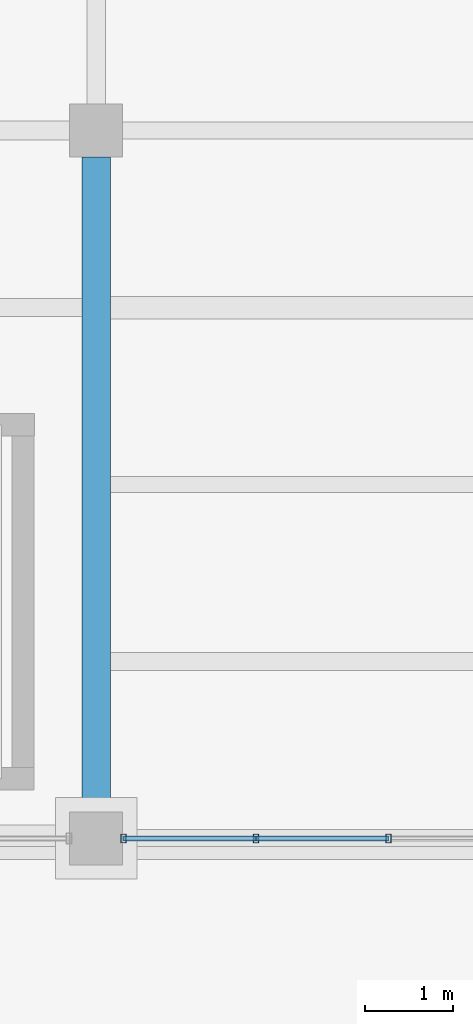
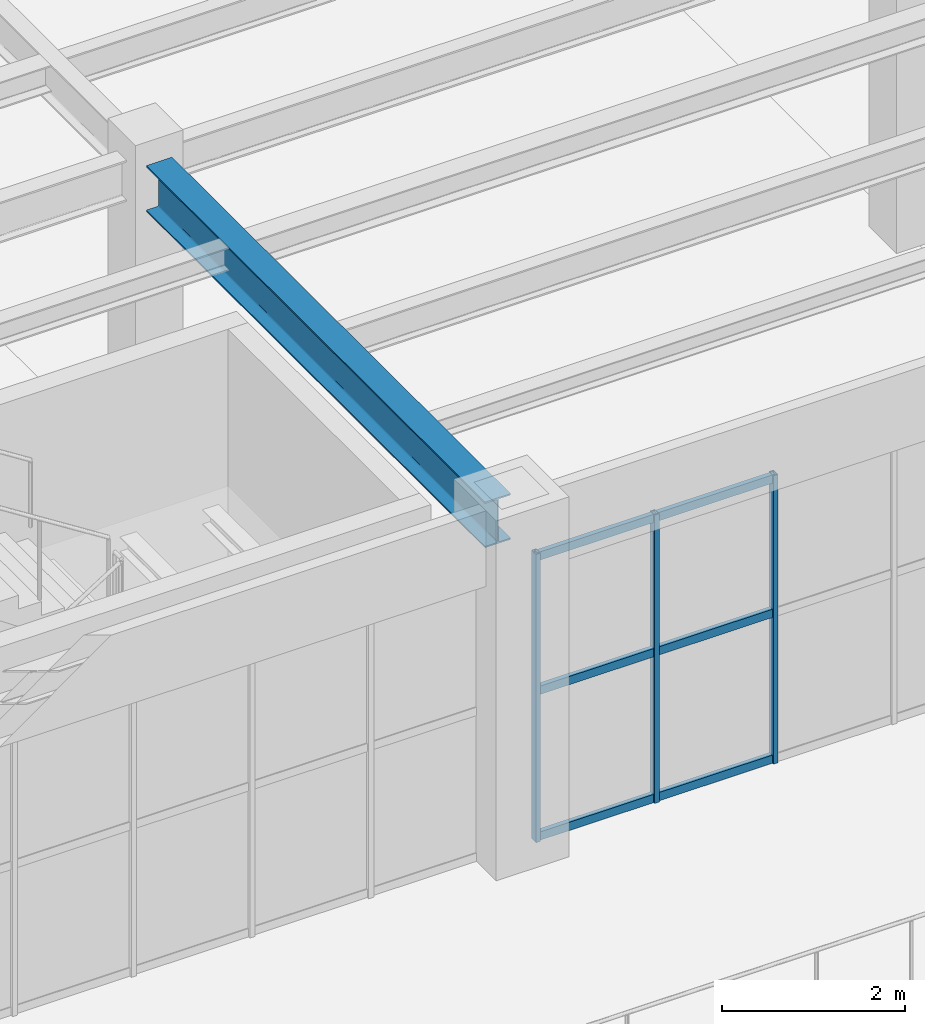
# One storey, part 33 of 83: 9 members, 1 beam, 1 element without a shape of its own.
"""IFC4 building model written with IfcOpenShell, lengths in metres."""

from ifc_helpers import new_model, si_unit, direction, frame, origin, origin_2d, place, context, subcontext, project, spatial, hollow_rectangle, i_section, extrude, material, material_profile, profile_set, type_object, element, aggregate, save


model = new_model("IFC4")

# Units and contexts
model_context = context("Model", 3, precision=1e-05, world=origin(), true_north=direction((0.0, 1.0)))
body_context = subcontext(model_context, "Body", "Model", "MODEL_VIEW")
ifc_project = project(units=[si_unit("LENGTHUNIT", "METRE"), si_unit("AREAUNIT", "SQUARE_METRE"), si_unit("VOLUMEUNIT", "CUBIC_METRE"), si_unit("PLANEANGLEUNIT", "RADIAN"), si_unit("MASSUNIT", "GRAM", prefix="KILO")], contexts=[model_context])

# Site, building, storey
site_placement = place(None, origin())
site = spatial("IfcSite", under=ifc_project, at=site_placement, CompositionType="ELEMENT")
building_placement = place(site_placement, origin())
building = spatial("IfcBuilding", under=site, at=building_placement, Name="Mavantir Sound Aquarium", CompositionType="ELEMENT")
storey_placement = place(building_placement, frame((0.0, 0.0, 10.5)))
storey = spatial("IfcBuildingStorey", under=building, at=storey_placement, Name="L02", CompositionType="ELEMENT", Elevation=10.5)

# Beam
ifc_material_1 = material(Name="Structural Steel ASTM A992 Gr50", Category="steel")
ifc_material_profile_1 = material_profile(ifc_material_1, i_section(OverallWidth=0.323974609375, OverallDepth=0.611083984375, WebThickness=0.0126953125, FlangeThickness=0.01904296875, FilletRadius=0.01904296875, at=origin_2d()), Name="W610X155")
ifc_profile_set_1 = profile_set([ifc_material_profile_1], Name="Structural Steel ASTM A992 Gr50")
beam_type = type_object("IfcBeamType", Name="BM-W610X155-I", PredefinedType="BEAM", material=ifc_profile_set_1)
beam_placement = place(storey_placement, frame((156.0, 41.10009765625, 4.180419921875), z_axis=(0.0, 1.0, 0.0), x_axis=(-1.0, 0.0, 0.0)))
element("IfcBeam", 1, at=beam_placement, inside=storey, type_object=beam_type, Name="L02 primary girder SB-61A 1591", PredefinedType="BEAM", context=body_context, shape_type="SweptSolid", body=[
    extrude(i_section(OverallWidth=0.323974609375, OverallDepth=0.611083984375, WebThickness=0.0126953125, FlangeThickness=0.01904296875, FilletRadius=0.01904296875, at=origin_2d()), origin(), (0.0, 0.0, 1.0), 7.39990234375),
])

# Curtain wall, members
ifc_material_2 = material(Name="Anodised Marine Aluminium and Low-E Glass", Category="aluminium")
curtain_wall_type = type_object("IfcCurtainWallType", Name="CW-T17", PredefinedType="USERDEFINED", material=ifc_material_2)
curtain_wall_placement = place(storey_placement, origin())
curtain_wall = element("IfcCurtainWall", 2, at=curtain_wall_placement, inside=storey, type_object=curtain_wall_type, Name="L02 unitised curtain wall CW-17 137", ObjectType="UNITISED GLAZING", PredefinedType="USERDEFINED")
ifc_material_3 = material(Name="Anodised Marine Aluminium 6063-T6", Category="aluminium")
ifc_material_profile_2 = material_profile(ifc_material_3, hollow_rectangle(XDim=0.06005859375, YDim=0.10009765625, WallThickness=0.00390625, at=origin_2d()), Name="ALU-MULLION-100X60")
ifc_profile_set_2 = profile_set([ifc_material_profile_2], Name="Anodised Marine Aluminium 6063-T6")
member_type_1 = type_object("IfcMemberType", Name="CW-MUL-100", PredefinedType="MULLION", material=ifc_profile_set_2)
member_1_placement = place(storey_placement, frame((156.30810546875, 40.800048828125, 0.0), z_axis=(0.0, 0.0, 1.0), x_axis=(1.0, 0.0, 0.0)))
member_1 = element("IfcMember", 3, at=member_1_placement, type_object=member_type_1, Name="CW-L02-137 vertical mullion 1", PredefinedType="MULLION", context=body_context, shape_type="SweptSolid", body=[
    extrude(hollow_rectangle(XDim=0.06005859375, YDim=0.10009765625, WallThickness=0.00390625, at=origin_2d()), origin(), (0.0, 0.0, 1.0), 3.844970703125),
])
member_2_placement = place(storey_placement, frame((157.805419921875, 40.800048828125, 0.0), z_axis=(0.0, 0.0, 1.0), x_axis=(1.0, 0.0, 0.0)))
member_2 = element("IfcMember", 4, at=member_2_placement, type_object=member_type_1, Name="CW-L02-137 vertical mullion 2", PredefinedType="MULLION", context=body_context, shape_type="SweptSolid", body=[
    extrude(hollow_rectangle(XDim=0.06005859375, YDim=0.10009765625, WallThickness=0.00390625, at=origin_2d()), origin(), (0.0, 0.0, 1.0), 3.844970703125),
])
member_3_placement = place(storey_placement, frame((159.302734375, 40.800048828125, 0.0), z_axis=(0.0, 0.0, 1.0), x_axis=(1.0, 0.0, 0.0)))
member_3 = element("IfcMember", 5, at=member_3_placement, type_object=member_type_1, Name="CW-L02-137 vertical mullion 3", PredefinedType="MULLION", context=body_context, shape_type="SweptSolid", body=[
    extrude(hollow_rectangle(XDim=0.06005859375, YDim=0.10009765625, WallThickness=0.00390625, at=origin_2d()), origin(), (0.0, 0.0, 1.0), 3.844970703125),
])
ifc_material_profile_3 = material_profile(ifc_material_3, hollow_rectangle(XDim=0.06005859375, YDim=0.110107421875, WallThickness=0.00390625, at=origin_2d()), Name="ALU-TRANSOM-110X60")
ifc_profile_set_3 = profile_set([ifc_material_profile_3], Name="Anodised Marine Aluminium 6063-T6")
member_type_2 = type_object("IfcMemberType", Name="CW-TRN-110", PredefinedType="USERDEFINED", material=ifc_profile_set_3)
member_4_placement = place(storey_placement, frame((156.30810546875, 40.800048828125, 0.054931640625), z_axis=(1.0, 0.0, 0.0), x_axis=(0.0, 1.0, 0.0)))
member_4 = element("IfcMember", 6, at=member_4_placement, type_object=member_type_2, Name="CW-L02-137 transom 1.1", ObjectType="TRANSOM", PredefinedType="USERDEFINED", context=body_context, shape_type="SweptSolid", body=[
    extrude(hollow_rectangle(XDim=0.06005859375, YDim=0.110107421875, WallThickness=0.00390625, at=origin_2d()), origin(), (0.0, 0.0, 1.0), 1.497314453125),
])
member_5_placement = place(storey_placement, frame((156.30810546875, 40.800048828125, 1.99951171875), z_axis=(1.0, 0.0, 0.0), x_axis=(0.0, 1.0, 0.0)))
member_5 = element("IfcMember", 7, at=member_5_placement, type_object=member_type_2, Name="CW-L02-137 transom 1.2", ObjectType="TRANSOM", PredefinedType="USERDEFINED", context=body_context, shape_type="SweptSolid", body=[
    extrude(hollow_rectangle(XDim=0.06005859375, YDim=0.110107421875, WallThickness=0.00390625, at=origin_2d()), origin(), (0.0, 0.0, 1.0), 1.497314453125),
])
member_6_placement = place(storey_placement, frame((156.30810546875, 40.800048828125, 3.7900390625), z_axis=(1.0, 0.0, 0.0), x_axis=(0.0, 1.0, 0.0)))
member_6 = element("IfcMember", 8, at=member_6_placement, type_object=member_type_2, Name="CW-L02-137 transom 1.3", ObjectType="TRANSOM", PredefinedType="USERDEFINED", context=body_context, shape_type="SweptSolid", body=[
    extrude(hollow_rectangle(XDim=0.06005859375, YDim=0.110107421875, WallThickness=0.00390625, at=origin_2d()), origin(), (0.0, 0.0, 1.0), 1.497314453125),
])
member_7_placement = place(storey_placement, frame((157.805419921875, 40.800048828125, 0.054931640625), z_axis=(1.0, 0.0, 0.0), x_axis=(0.0, 1.0, 0.0)))
member_7 = element("IfcMember", 9, at=member_7_placement, type_object=member_type_2, Name="CW-L02-137 transom 2.1", ObjectType="TRANSOM", PredefinedType="USERDEFINED", context=body_context, shape_type="SweptSolid", body=[
    extrude(hollow_rectangle(XDim=0.06005859375, YDim=0.110107421875, WallThickness=0.00390625, at=origin_2d()), origin(), (0.0, 0.0, 1.0), 1.497314453125),
])
member_8_placement = place(storey_placement, frame((157.805419921875, 40.800048828125, 1.99951171875), z_axis=(1.0, 0.0, 0.0), x_axis=(0.0, 1.0, 0.0)))
member_8 = element("IfcMember", 10, at=member_8_placement, type_object=member_type_2, Name="CW-L02-137 transom 2.2", ObjectType="TRANSOM", PredefinedType="USERDEFINED", context=body_context, shape_type="SweptSolid", body=[
    extrude(hollow_rectangle(XDim=0.06005859375, YDim=0.110107421875, WallThickness=0.00390625, at=origin_2d()), origin(), (0.0, 0.0, 1.0), 1.497314453125),
])
member_9_placement = place(storey_placement, frame((157.805419921875, 40.800048828125, 3.7900390625), z_axis=(1.0, 0.0, 0.0), x_axis=(0.0, 1.0, 0.0)))
member_9 = element("IfcMember", 11, at=member_9_placement, type_object=member_type_2, Name="CW-L02-137 transom 2.3", ObjectType="TRANSOM", PredefinedType="USERDEFINED", context=body_context, shape_type="SweptSolid", body=[
    extrude(hollow_rectangle(XDim=0.06005859375, YDim=0.110107421875, WallThickness=0.00390625, at=origin_2d()), origin(), (0.0, 0.0, 1.0), 1.497314453125),
])
aggregate(curtain_wall, [member_1, member_2, member_3, member_4, member_5, member_6, member_7, member_8, member_9])

save(model, "model.ifc")
